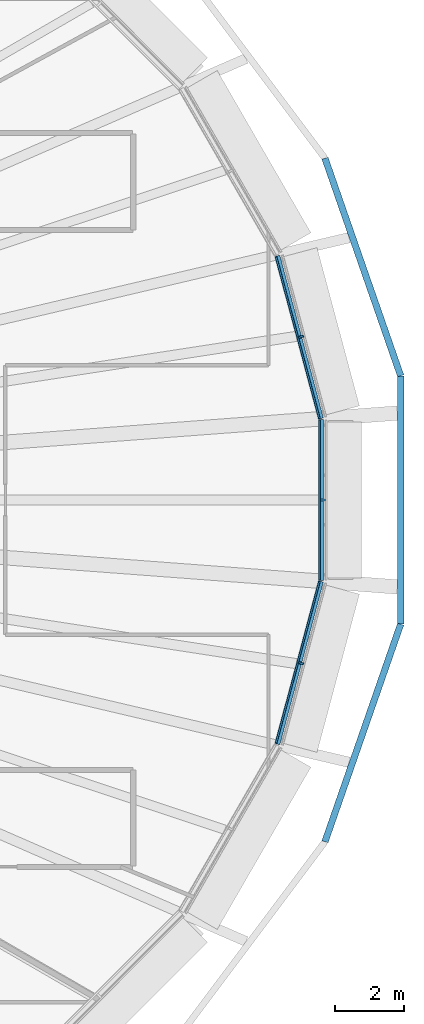
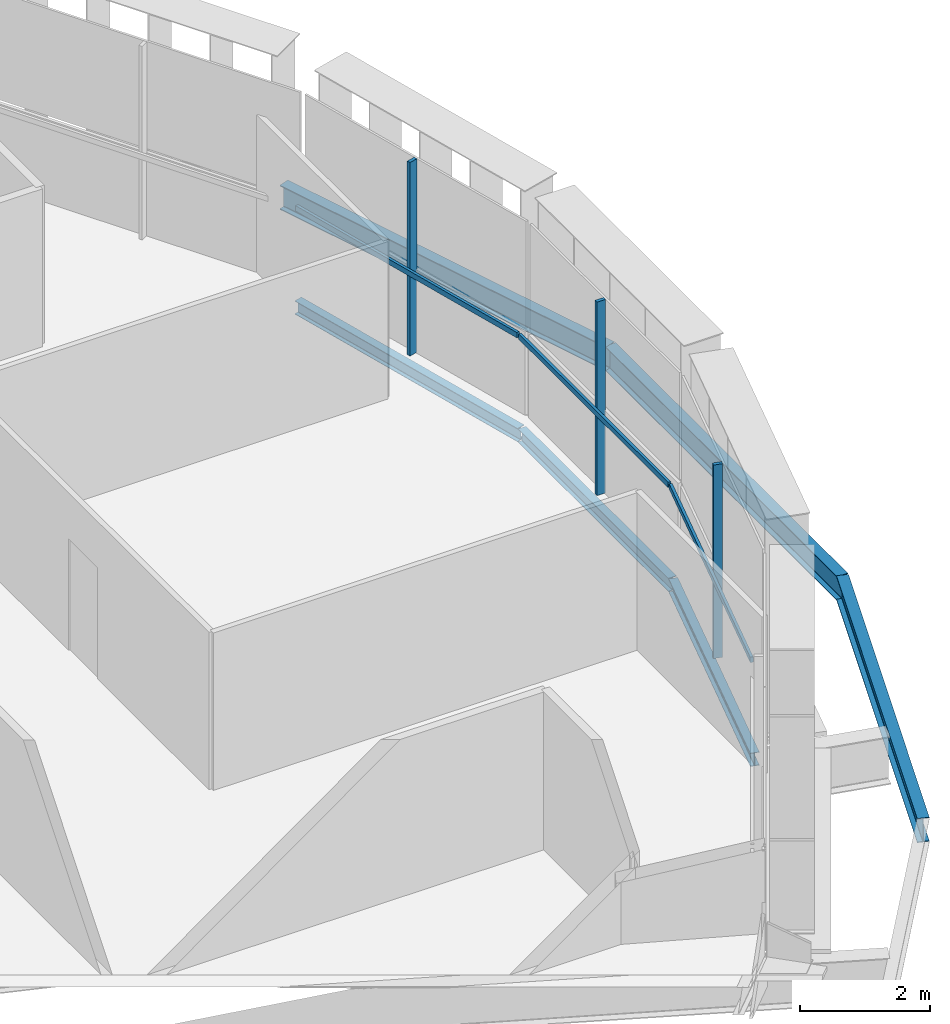
# One storey, part 12 of 25: 6 beams, 6 members, 3 elements without a shape of their own.
"""IFC4 building model written with IfcOpenShell, lengths in metres."""

from ifc_helpers import new_model, si_unit, direction, frame, origin, origin_2d, place, context, subcontext, project, spatial, rectangle, i_section, extrude, material, layer, layer_set, material_profile, profile_set, type_object, element, aggregate, save


model = new_model("IFC4")

# Units and contexts
model_context = context("Model", 3, precision=1e-05, world=origin(), true_north=direction((0.0, 1.0)))
body_context = subcontext(model_context, "Body", "Model", "MODEL_VIEW")
ifc_project = project(units=[si_unit("LENGTHUNIT", "METRE"), si_unit("AREAUNIT", "SQUARE_METRE"), si_unit("VOLUMEUNIT", "CUBIC_METRE"), si_unit("PLANEANGLEUNIT", "RADIAN"), si_unit("MASSUNIT", "GRAM", prefix="KILO")], contexts=[model_context])

# Site, building, storey
site_placement = place(None, origin())
site = spatial("IfcSite", under=ifc_project, at=site_placement, CompositionType="ELEMENT")
building_placement = place(site_placement, origin())
building = spatial("IfcBuilding", under=site, at=building_placement, Name="Sahrelin Media Tower", CompositionType="ELEMENT")
storey_placement = place(building_placement, frame((0.0, 0.0, 139.800048828125)))
storey = spatial("IfcBuildingStorey", under=building, at=storey_placement, Name="L28", CompositionType="ELEMENT", Elevation=139.800048828125)

# Beams
ifc_material_1 = material(Name="Steel S355", Category="steel")
ifc_material_profile_1 = material_profile(ifc_material_1, i_section(OverallWidth=0.14599609375, OverallDepth=0.25146484375, WebThickness=0.006103515625, FlangeThickness=0.008544921875, FilletRadius=0.007568359375, at=origin_2d()), Name="UB 254x146x31")
ifc_profile_set_1 = profile_set([ifc_material_profile_1], Name="Steel S355")
beam_type_1 = type_object("IfcBeamType", Name="Edge beam EB1", PredefinedType="BEAM", material=ifc_profile_set_1)
beam_1_placement = place(storey_placement, frame((31.4287109375, 2.32421875, -0.275634765625), z_axis=(0.0, -1.0, 0.0), x_axis=(1.0, 0.0, 0.0)))
element("IfcBeam", 1, at=beam_1_placement, inside=storey, type_object=beam_type_1, Name="Edge beam L28-01", PredefinedType="BEAM", context=body_context, shape_type="SweptSolid", body=[
    extrude(i_section(OverallWidth=0.14599609375, OverallDepth=0.25146484375, WebThickness=0.006103515625, FlangeThickness=0.008544921875, FilletRadius=0.007568359375, at=origin_2d()), origin(), (0.0, 0.0, 1.0), 4.6484375),
])
for number, where, z_axis, x_axis, name in (
    (2, (31.4248046875, -2.352783203125, -0.275634765625), (-0.258796286999, -0.965931924017, 0.0), (0.965931924017, -0.258796286999, 0.0), "Edge beam L28-02"),
    (3, (30.165771484375, 7.052001953125, -0.275634765625), (0.258796286999, -0.965931924017, 0.0), (0.965931924017, 0.258796286999, 0.0), "Edge beam L28-24"),
):
    element("IfcBeam", number, at=place(storey_placement, frame(where, z_axis=z_axis, x_axis=x_axis)), inside=storey, type_object=beam_type_1, Name=name, PredefinedType="BEAM", context=body_context, shape_type="SweptSolid", body=[
        extrude(i_section(OverallWidth=0.14599609375, OverallDepth=0.25146484375, WebThickness=0.006103515625, FlangeThickness=0.008544921875, FilletRadius=0.007568359375, at=origin_2d()), origin(), (0.0, 0.0, 1.0), 4.864990234375),
    ])

# Curtain wall, member
ifc_material_2 = material(Name="Champagne anodised aluminium 6063-T6", Category="aluminium")
ifc_layer = layer(ifc_material_2, 0.14990234375)
ifc_layer_set = layer_set([ifc_layer], Name="Tower ribbon curtain wall")
curtain_wall_type = type_object("IfcCurtainWallType", Name="Tower ribbon curtain wall", PredefinedType="NOTDEFINED", material=ifc_layer_set)
curtain_wall_1_placement = place(storey_placement, frame((31.57861328125, 0.0, 0.0), z_axis=(0.0, 0.0, 1.0), x_axis=(1.0, 0.0, 0.0)))
curtain_wall_1 = element("IfcCurtainWall", 4, at=curtain_wall_1_placement, inside=storey, type_object=curtain_wall_type, Name="L28:CW:L28-00", PredefinedType="NOTDEFINED")
ifc_material_profile_2 = material_profile(ifc_material_2, rectangle(XDim=0.06005859375, YDim=0.14990234375, at=origin_2d()), Name="Mullion 60x150")
ifc_profile_set_2 = profile_set([ifc_material_profile_2], Name="Champagne anodised aluminium 6063-T6")
member_type_1 = type_object("IfcMemberType", Name="Mullion 60x150 CW1", PredefinedType="MULLION", material=ifc_profile_set_2)
member_1_placement = place(storey_placement, frame((31.483642578125, 0.0, 0.0), z_axis=(0.0, 0.0, 1.0), x_axis=(0.0, 1.0, 0.0)))
member_1 = element("IfcMember", 5, at=member_1_placement, type_object=member_type_1, Name="L28:CWM:L28-00", PredefinedType="MULLION", context=body_context, shape_type="SweptSolid", body=[
    extrude(rectangle(XDim=0.06005859375, YDim=0.14990234375, at=origin_2d()), origin(), (0.0, 0.0, 1.0), 3.6484375),
])

curtain_wall_2_placement = place(storey_placement, frame((30.940185546875, 4.7412109375, 0.0), z_axis=(0.0, 0.0, 1.0), x_axis=(1.0, 0.0, 0.0)))
curtain_wall_2 = element("IfcCurtainWall", 6, at=curtain_wall_2_placement, inside=storey, type_object=curtain_wall_type, Name="L28:CW:L28-01", PredefinedType="NOTDEFINED")
member_2_placement = place(storey_placement, frame((30.848388671875, 4.716552734375, 0.0), z_axis=(0.0, 0.0, 1.0), x_axis=(-0.258827474386, 0.96592356763, 0.0)))
member_2 = element("IfcMember", 7, at=member_2_placement, type_object=member_type_1, Name="L28:CWM:L28-01", PredefinedType="MULLION", context=body_context, shape_type="SweptSolid", body=[
    extrude(rectangle(XDim=0.06005859375, YDim=0.14990234375, at=origin_2d()), origin(), (0.0, 0.0, 1.0), 3.6484375),
])

curtain_wall_3_placement = place(storey_placement, frame((30.940185546875, -4.7412109375, 0.0), z_axis=(0.0, 0.0, 1.0), x_axis=(1.0, 0.0, 0.0)))
curtain_wall_3 = element("IfcCurtainWall", 8, at=curtain_wall_3_placement, inside=storey, type_object=curtain_wall_type, Name="L28:CW:L28-23", PredefinedType="NOTDEFINED")
member_3_placement = place(storey_placement, frame((30.848388671875, -4.716552734375, 0.0), z_axis=(0.0, 0.0, 1.0), x_axis=(0.258827474386, 0.96592356763, 0.0)))
member_3 = element("IfcMember", 9, at=member_3_placement, type_object=member_type_1, Name="L28:CWM:L28-23", PredefinedType="MULLION", context=body_context, shape_type="SweptSolid", body=[
    extrude(rectangle(XDim=0.06005859375, YDim=0.14990234375, at=origin_2d()), origin(), (0.0, 0.0, 1.0), 3.6484375),
])

# Beams
ifc_material_profile_3 = material_profile(ifc_material_1, i_section(OverallWidth=0.1904296875, OverallDepth=0.45703125, WebThickness=0.009033203125, FlangeThickness=0.014404296875, FilletRadius=0.01025390625, at=origin_2d()), Name="UB 457x191x74")
ifc_profile_set_3 = profile_set([ifc_material_profile_3], Name="Steel S355")
beam_type_2 = type_object("IfcBeamType", Name="Tie chord TC5", PredefinedType="BEAM", material=ifc_profile_set_3)
for number, where, z_axis, x_axis, name in (
    (10, (33.72998046875, 3.5859375, -0.378662109375), (-0.328759486364, 0.944413680611, 0.0), (-0.944413680611, -0.328759486364, 0.0), "Tie chord L28-01"),
    (11, (31.54052734375, -9.87548828125, -0.378662109375), (0.328759486364, 0.944413680611, 0.0), (-0.944413680611, 0.328759486364, 0.0), "Tie chord L28-23"),
):
    element("IfcBeam", number, at=place(storey_placement, frame(where, z_axis=z_axis, x_axis=x_axis)), inside=storey, type_object=beam_type_2, Name=name, PredefinedType="BEAM", context=body_context, shape_type="SweptSolid", body=[
        extrude(i_section(OverallWidth=0.1904296875, OverallDepth=0.45703125, WebThickness=0.009033203125, FlangeThickness=0.014404296875, FilletRadius=0.01025390625, at=origin_2d()), origin(), (0.0, 0.0, 1.0), 6.65966796875),
    ])
beam_2_placement = place(storey_placement, frame((33.72998046875, -3.5859375, -0.378662109375), z_axis=(0.0, 1.0, 0.0), x_axis=(-1.0, 0.0, 0.0)))
element("IfcBeam", 12, at=beam_2_placement, inside=storey, type_object=beam_type_2, Name="Tie chord L28-24", PredefinedType="BEAM", context=body_context, shape_type="SweptSolid", body=[
    extrude(i_section(OverallWidth=0.1904296875, OverallDepth=0.45703125, WebThickness=0.009033203125, FlangeThickness=0.014404296875, FilletRadius=0.01025390625, at=origin_2d()), origin(), (0.0, 0.0, 1.0), 7.171875),
])

# Member
ifc_material_profile_4 = material_profile(ifc_material_2, rectangle(XDim=0.050048828125, YDim=0.10009765625, at=origin_2d()), Name="Transom 50x100")
ifc_profile_set_4 = profile_set([ifc_material_profile_4], Name="Champagne anodised aluminium 6063-T6")
member_type_2 = type_object("IfcMemberType", Name="Transom 50x100 CW1", PredefinedType="USERDEFINED", material=ifc_profile_set_4)
member_4_placement = place(storey_placement, frame((31.3837890625, -2.30859375, 1.599853515625), z_axis=(0.0, 1.0, 0.0), x_axis=(-1.0, 0.0, 0.0)))
member_4 = element("IfcMember", 13, at=member_4_placement, type_object=member_type_2, Name="L28:CWT:L28-00", ObjectType="TRANSOM", PredefinedType="USERDEFINED", context=body_context, shape_type="SweptSolid", body=[
    extrude(rectangle(XDim=0.050048828125, YDim=0.10009765625, at=origin_2d()), origin(), (0.0, 0.0, 1.0), 4.6171875),
])

aggregate(curtain_wall_1, [member_1, member_4])

member_5_placement = place(storey_placement, frame((31.37744140625, 2.356201171875, 1.599853515625), z_axis=(-0.258819402949, 0.965925730404, 0.0), x_axis=(-0.965925730404, -0.258819402949, 0.0)))
member_5 = element("IfcMember", 14, at=member_5_placement, type_object=member_type_2, Name="L28:CWT:L28-01", ObjectType="TRANSOM", PredefinedType="USERDEFINED", context=body_context, shape_type="SweptSolid", body=[
    extrude(rectangle(XDim=0.050048828125, YDim=0.10009765625, at=origin_2d()), origin(), (0.0, 0.0, 1.0), 4.83349609375),
])

aggregate(curtain_wall_2, [member_2, member_5])

member_6_placement = place(storey_placement, frame((30.12646484375, -7.02490234375, 1.599853515625), z_axis=(0.258819402949, 0.965925730404, 0.0), x_axis=(-0.965925730404, 0.258819402949, 0.0)))
member_6 = element("IfcMember", 15, at=member_6_placement, type_object=member_type_2, Name="L28:CWT:L28-23", ObjectType="TRANSOM", PredefinedType="USERDEFINED", context=body_context, shape_type="SweptSolid", body=[
    extrude(rectangle(XDim=0.050048828125, YDim=0.10009765625, at=origin_2d()), origin(), (0.0, 0.0, 1.0), 4.83349609375),
])

aggregate(curtain_wall_3, [member_3, member_6])

save(model, "model.ifc")
